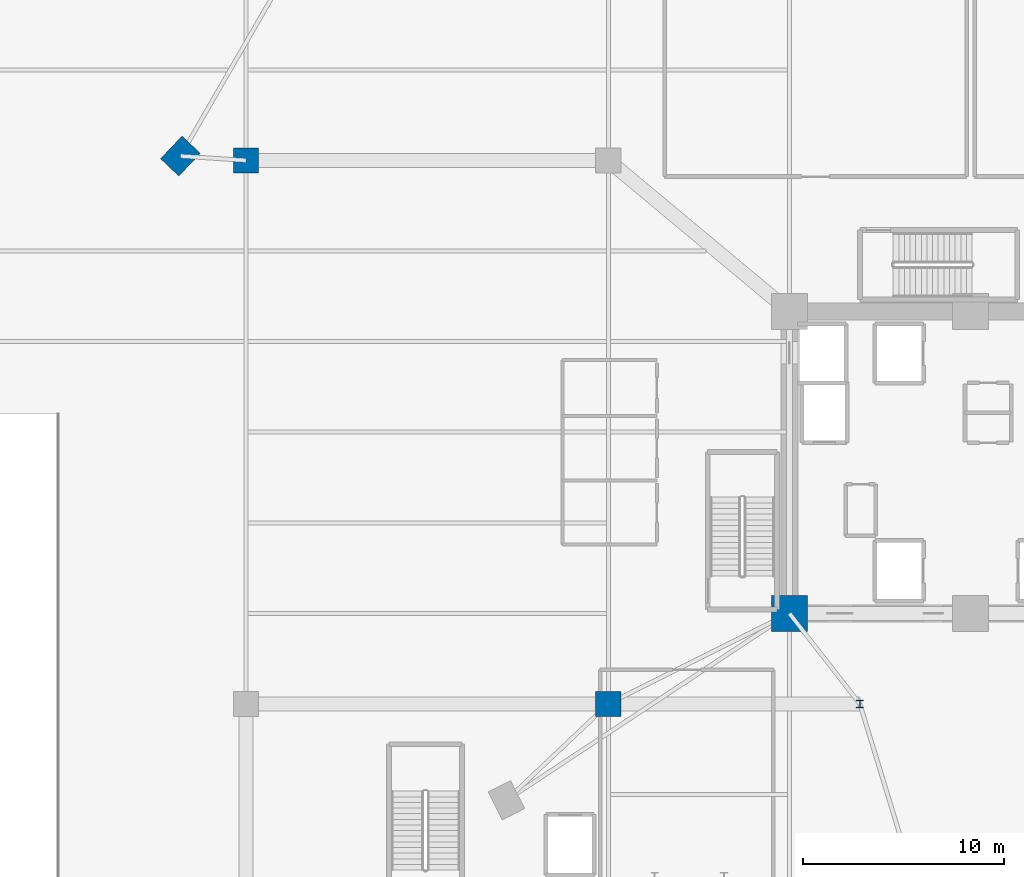
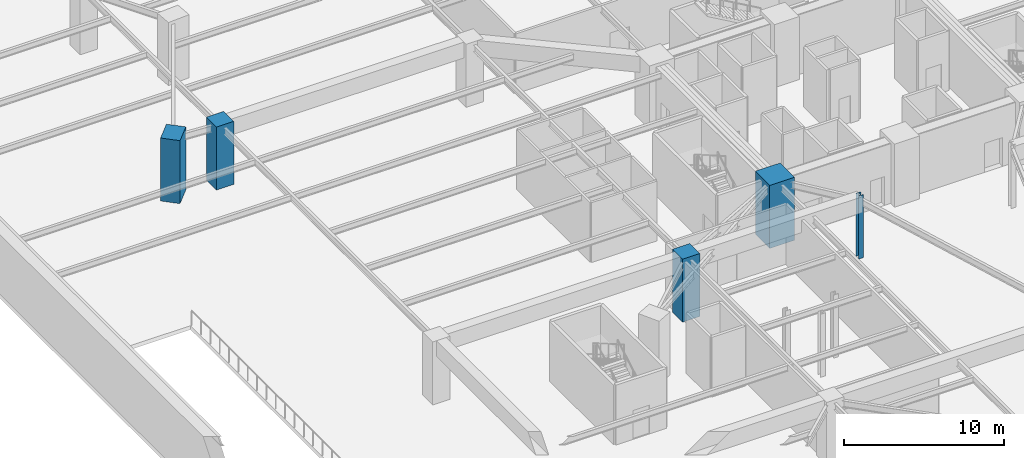
# One storey, part 3 of 20: 5 columns.
"""IFC4 building model written with IfcOpenShell, lengths in metres."""

from ifc_helpers import new_model, si_unit, direction, frame, origin, origin_2d, place, context, subcontext, project, spatial, rectangle, i_section, extrude, source, transform, mapped, material, material_profile, profile_set, type_object, element, save


model = new_model("IFC4")

# Units and contexts
model_context = context("Model", 3, precision=1e-05, world=origin(), true_north=direction((0.0, 1.0)))
body_context = subcontext(model_context, "Body", "Model", "MODEL_VIEW")
ifc_project = project(units=[si_unit("LENGTHUNIT", "METRE"), si_unit("AREAUNIT", "SQUARE_METRE"), si_unit("VOLUMEUNIT", "CUBIC_METRE"), si_unit("PLANEANGLEUNIT", "RADIAN"), si_unit("MASSUNIT", "GRAM", prefix="KILO")], contexts=[model_context])

# Site, building, storey
site_placement = place(None, origin())
site = spatial("IfcSite", under=ifc_project, at=site_placement, CompositionType="ELEMENT")
building_placement = place(site_placement, origin())
building = spatial("IfcBuilding", under=site, at=building_placement, Name="Liaohun Quay Tower", CompositionType="ELEMENT")
storey_placement = place(building_placement, frame((0.0, 0.0, -4.800048828125)))
storey = spatial("IfcBuildingStorey", under=building, at=storey_placement, Name="B1", CompositionType="ELEMENT", Elevation=-4.800048828125)

# Columns
ifc_material_1 = material(Name="Concrete C60", Category="concrete")
ifc_material_profile_1 = material_profile(ifc_material_1, rectangle(XDim=1.800048828125, YDim=1.800048828125, at=origin_2d()), Name="RC1800x1800")
ifc_profile_set_1 = profile_set([ifc_material_profile_1], Name="Concrete C60")
column_type_1 = type_object("IfcColumnType", Name="COL-CC-B", PredefinedType="COLUMN", material=ifc_profile_set_1)
shared_shape_1 = source(origin(), body_context, "Body", "SweptSolid", [
    extrude(rectangle(XDim=1.800048828125, YDim=1.800048828125, at=origin_2d()), origin(), (0.0, 0.0, 1.0), 4.800048828125),
])
column_1_placement = place(storey_placement, frame((51.0, 46.5, 0.0), z_axis=(0.0, 0.0, 1.0), x_axis=(1.0, 0.0, 0.0)))
element("IfcColumn", 1, at=column_1_placement, inside=storey, type_object=column_type_1, Name="B1 Core Column CC1", PredefinedType="COLUMN", context=body_context, shape_type="MappedRepresentation", body=[
    mapped(shared_shape_1, transform((0.0, 0.0, 0.0), x_axis=(1.0, 0.0, 0.0), y_axis=(0.0, 1.0, 0.0), z_axis=(0.0, 0.0, 1.0), scale=1.0)),
])
ifc_material_profile_2 = material_profile(ifc_material_1, rectangle(XDim=1.550048828125, YDim=1.25, at=origin_2d()), Name="RC1550x1250")
ifc_profile_set_2 = profile_set([ifc_material_profile_2], Name="Concrete C60")
column_type_2 = type_object("IfcColumnType", Name="COL-PIER-Z1", PredefinedType="COLUMN", material=ifc_profile_set_2)
shared_shape_2 = source(origin(), body_context, "Body", "SweptSolid", [
    extrude(rectangle(XDim=1.550048828125, YDim=1.25, at=origin_2d()), origin(), (0.0, 0.0, 1.0), 4.800048828125),
])
column_2_placement = place(storey_placement, frame((20.748046875, 69.217041015625, 0.0), z_axis=(0.0, 0.0, 1.0), x_axis=(0.68936671806, 0.724412539946, 0.0)))
element("IfcColumn", 2, at=column_2_placement, inside=storey, type_object=column_type_2, Name="B1 Tower Mega-Pier PC03", PredefinedType="COLUMN", context=body_context, shape_type="MappedRepresentation", body=[
    mapped(shared_shape_2, transform((0.0, 0.0, 0.0), x_axis=(1.0, 0.0, 0.0), y_axis=(0.0, 1.0, 0.0), z_axis=(0.0, 0.0, 1.0), scale=1.0)),
])
ifc_material_profile_3 = material_profile(ifc_material_1, rectangle(XDim=1.25, YDim=1.25, at=origin_2d()), Name="RC1250x1250")
ifc_profile_set_3 = profile_set([ifc_material_profile_3], Name="Concrete C60")
column_type_3 = type_object("IfcColumnType", Name="COL-POD-B", PredefinedType="COLUMN", material=ifc_profile_set_3)
shared_shape_3 = source(origin(), body_context, "Body", "SweptSolid", [
    extrude(rectangle(XDim=1.25, YDim=1.25, at=origin_2d()), origin(), (0.0, 0.0, 1.0), 4.800048828125),
])
for number, where, z_axis, x_axis, name in (
    (3, (42.0, 42.0, 0.0), (0.0, 0.0, 1.0), (1.0, 0.0, 0.0), "B1 Podium Column PG07"),
    (4, (24.0, 69.0, 0.0), (0.0, 0.0, 1.0), (1.0, 0.0, 0.0), "B1 Podium Column PG10"),
):
    element("IfcColumn", number, at=place(storey_placement, frame(where, z_axis=z_axis, x_axis=x_axis)), inside=storey, type_object=column_type_3, Name=name, PredefinedType="COLUMN", context=body_context, shape_type="MappedRepresentation", body=[
        mapped(shared_shape_3, transform((0.0, 0.0, 0.0), x_axis=(1.0, 0.0, 0.0), y_axis=(0.0, 1.0, 0.0), z_axis=(0.0, 0.0, 1.0), scale=1.0)),
    ])
ifc_material_2 = material(Name="Steel Q355D", Category="steel")
ifc_material_profile_4 = material_profile(ifc_material_2, i_section(OverallWidth=0.35009765625, OverallDepth=0.35009765625, WebThickness=0.011962890625, FlangeThickness=0.01904296875, at=origin_2d()), Name="HW350x350x12x19")
ifc_profile_set_4 = profile_set([ifc_material_profile_4], Name="Steel Q355D")
column_type_4 = type_object("IfcColumnType", Name="COL-STL-ATR", PredefinedType="COLUMN", material=ifc_profile_set_4)
shared_shape_4 = source(origin(), body_context, "Body", "SweptSolid", [
    extrude(i_section(OverallWidth=0.35009765625, OverallDepth=0.35009765625, WebThickness=0.011962890625, FlangeThickness=0.01904296875, at=origin_2d()), origin(), (0.0, 0.0, 1.0), 4.800048828125),
])
column_3_placement = place(storey_placement, frame((54.5, 42.0, 0.0), z_axis=(0.0, 0.0, 1.0), x_axis=(1.0, 0.0, 0.0)))
element("IfcColumn", 5, at=column_3_placement, inside=storey, type_object=column_type_4, Name="B1 Atrium Feature Column AT1", PredefinedType="COLUMN", context=body_context, shape_type="MappedRepresentation", body=[
    mapped(shared_shape_4, transform((0.0, 0.0, 0.0), x_axis=(1.0, 0.0, 0.0), y_axis=(0.0, 1.0, 0.0), z_axis=(0.0, 0.0, 1.0), scale=1.0)),
])

save(model, "model.ifc")
